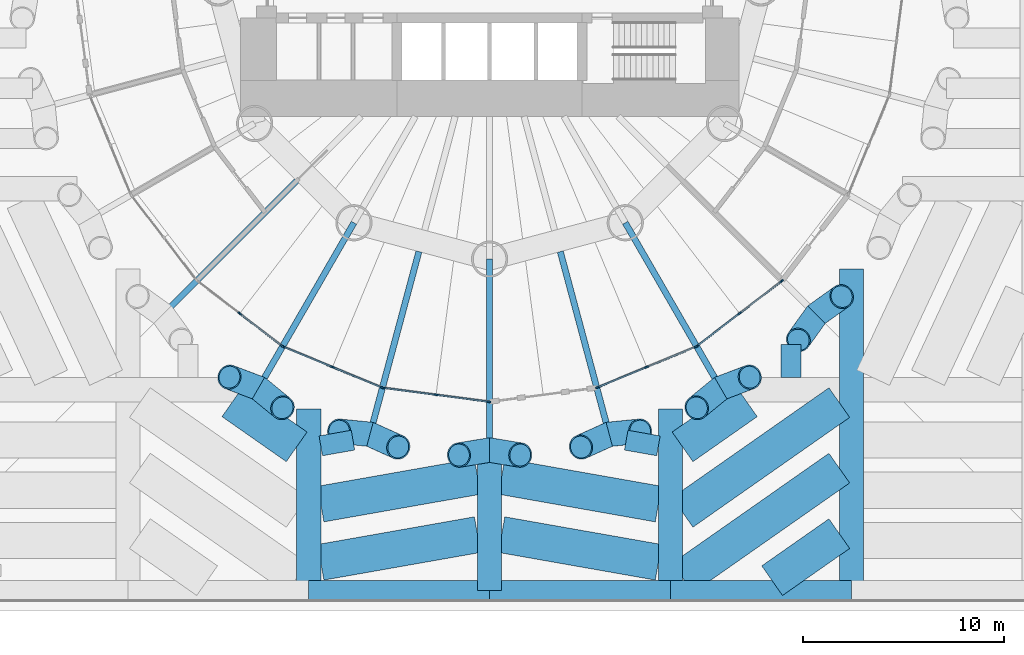
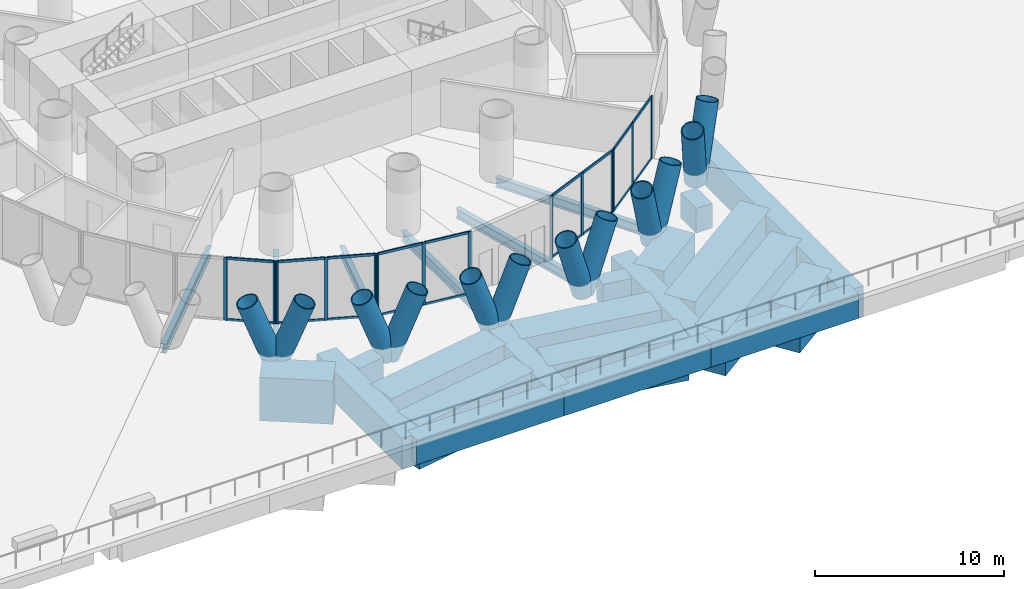
# One storey, part 3 of 19: 44 members, 25 beams, 5 elements without a shape of their own.
"""IFC4 building model written with IfcOpenShell, lengths in metres."""

from ifc_helpers import new_model, si_unit, direction, frame, origin, origin_2d, place, context, subcontext, project, spatial, rectangle, hollow_circle, i_section, extrude, material, material_profile, profile_set, type_object, element, aggregate, save


model = new_model("IFC4")

# Units and contexts
model_context = context("Model", 3, precision=1e-05, world=origin(), true_north=direction((0.0, 1.0)))
body_context = subcontext(model_context, "Body", "Model", "MODEL_VIEW")
ifc_project = project(units=[si_unit("LENGTHUNIT", "METRE"), si_unit("AREAUNIT", "SQUARE_METRE"), si_unit("VOLUMEUNIT", "CUBIC_METRE"), si_unit("PLANEANGLEUNIT", "RADIAN"), si_unit("MASSUNIT", "GRAM", prefix="KILO")], contexts=[model_context])

# Site, building, storey
site_placement = place(None, origin())
site = spatial("IfcSite", under=ifc_project, at=site_placement, CompositionType="ELEMENT")
building_placement = place(site_placement, origin())
building = spatial("IfcBuilding", under=site, at=building_placement, Name="Qaws Media Tower", CompositionType="ELEMENT")
storey_placement = place(building_placement, frame((0.0, 0.0, 26.0)))
storey = spatial("IfcBuildingStorey", under=building, at=storey_placement, Name="L04", CompositionType="ELEMENT", Elevation=26.0)

# Curtain wall, members
ifc_material_1 = material(Name="Aluminium and clear glass", Category="aluminium")
curtain_wall_type = type_object("IfcCurtainWallType", Name="Unitised curtain wall CW-A", PredefinedType="NOTDEFINED", material=ifc_material_1)
curtain_wall_1_placement = place(storey_placement, origin())
curtain_wall_1 = element("IfcCurtainWall", 1, at=curtain_wall_1_placement, inside=storey, type_object=curtain_wall_type, Name="CWA curtain wall L04-16", PredefinedType="NOTDEFINED")
ifc_material_2 = material(Name="Aluminium mullion", Category="aluminium")
ifc_material_profile_1 = material_profile(ifc_material_2, rectangle(XDim=0.080078125, YDim=0.199951171875, at=origin_2d()), Name="80x200")
ifc_profile_set_1 = profile_set([ifc_material_profile_1], Name="Aluminium mullion")
member_type_1 = type_object("IfcMemberType", Name="Curtain wall mullion 80x200", PredefinedType="MULLION", material=ifc_profile_set_1)
member_1_placement = place(storey_placement, frame((47.56689453125, 33.796630859375, 0.0), z_axis=(0.0, 0.0, 1.0), x_axis=(0.608761328178, 0.793353417662, 0.0)))
member_1 = element("IfcMember", 2, at=member_1_placement, type_object=member_type_1, Name="CWA mullion 2", PredefinedType="MULLION", context=body_context, shape_type="SweptSolid", body=[
    extrude(rectangle(XDim=0.080078125, YDim=0.199951171875, at=origin_2d()), origin(), (0.0, 0.0, 1.0), 4.0400390625),
])
member_2_placement = place(storey_placement, frame((49.668212890625, 32.184326171875, 0.0), z_axis=(0.0, 0.0, 1.0), x_axis=(0.608761328178, 0.793353417662, 0.0)))
member_2 = element("IfcMember", 3, at=member_2_placement, type_object=member_type_1, Name="CWA mullion 3", PredefinedType="MULLION", context=body_context, shape_type="SweptSolid", body=[
    extrude(rectangle(XDim=0.080078125, YDim=0.199951171875, at=origin_2d()), origin(), (0.0, 0.0, 1.0), 4.0400390625),
])

curtain_wall_2_placement = place(storey_placement, origin())
curtain_wall_2 = element("IfcCurtainWall", 4, at=curtain_wall_2_placement, inside=storey, type_object=curtain_wall_type, Name="CWA curtain wall L04-17", PredefinedType="NOTDEFINED")
member_3_placement = place(storey_placement, frame((49.737060546875, 32.14453125, 0.0), z_axis=(0.0, 0.0, 1.0), x_axis=(0.382683457778, 0.923879521985, 0.0)))
member_3 = element("IfcMember", 5, at=member_3_placement, type_object=member_type_1, Name="CWA mullion 1", PredefinedType="MULLION", context=body_context, shape_type="SweptSolid", body=[
    extrude(rectangle(XDim=0.080078125, YDim=0.199951171875, at=origin_2d()), origin(), (0.0, 0.0, 1.0), 4.0400390625),
])
member_4_placement = place(storey_placement, frame((52.18408203125, 31.130859375, 0.0), z_axis=(0.0, 0.0, 1.0), x_axis=(0.382683457778, 0.923879521985, 0.0)))
member_4 = element("IfcMember", 6, at=member_4_placement, type_object=member_type_1, Name="CWA mullion 2", PredefinedType="MULLION", context=body_context, shape_type="SweptSolid", body=[
    extrude(rectangle(XDim=0.080078125, YDim=0.199951171875, at=origin_2d()), origin(), (0.0, 0.0, 1.0), 4.0400390625),
])
member_5_placement = place(storey_placement, frame((54.63134765625, 30.1171875, 0.0), z_axis=(0.0, 0.0, 1.0), x_axis=(0.382683457778, 0.923879521985, 0.0)))
member_5 = element("IfcMember", 7, at=member_5_placement, type_object=member_type_1, Name="CWA mullion 3", PredefinedType="MULLION", context=body_context, shape_type="SweptSolid", body=[
    extrude(rectangle(XDim=0.080078125, YDim=0.199951171875, at=origin_2d()), origin(), (0.0, 0.0, 1.0), 4.0400390625),
])

curtain_wall_3_placement = place(storey_placement, origin())
curtain_wall_3 = element("IfcCurtainWall", 8, at=curtain_wall_3_placement, inside=storey, type_object=curtain_wall_type, Name="CWA curtain wall L04-18", PredefinedType="NOTDEFINED")
member_6_placement = place(storey_placement, frame((54.7080078125, 30.0966796875, 0.0), z_axis=(0.0, 0.0, 1.0), x_axis=(0.130526204073, 0.991444859813, 0.0)))
member_6 = element("IfcMember", 9, at=member_6_placement, type_object=member_type_1, Name="CWA mullion 1", PredefinedType="MULLION", context=body_context, shape_type="SweptSolid", body=[
    extrude(rectangle(XDim=0.080078125, YDim=0.199951171875, at=origin_2d()), origin(), (0.0, 0.0, 1.0), 4.0400390625),
])
member_7_placement = place(storey_placement, frame((57.334228515625, 29.7509765625, 0.0), z_axis=(0.0, 0.0, 1.0), x_axis=(0.130526204073, 0.991444859813, 0.0)))
member_7 = element("IfcMember", 10, at=member_7_placement, type_object=member_type_1, Name="CWA mullion 2", PredefinedType="MULLION", context=body_context, shape_type="SweptSolid", body=[
    extrude(rectangle(XDim=0.080078125, YDim=0.199951171875, at=origin_2d()), origin(), (0.0, 0.0, 1.0), 4.0400390625),
])
member_8_placement = place(storey_placement, frame((59.96044921875, 29.4052734375, 0.0), z_axis=(0.0, 0.0, 1.0), x_axis=(0.130526204073, 0.991444859813, 0.0)))
member_8 = element("IfcMember", 11, at=member_8_placement, type_object=member_type_1, Name="CWA mullion 3", PredefinedType="MULLION", context=body_context, shape_type="SweptSolid", body=[
    extrude(rectangle(XDim=0.080078125, YDim=0.199951171875, at=origin_2d()), origin(), (0.0, 0.0, 1.0), 4.0400390625),
])

curtain_wall_4_placement = place(storey_placement, origin())
curtain_wall_4 = element("IfcCurtainWall", 12, at=curtain_wall_4_placement, inside=storey, type_object=curtain_wall_type, Name="CWA curtain wall L04-20", PredefinedType="NOTDEFINED")
member_9_placement = place(storey_placement, frame((65.36865234375, 30.1171875, 0.0), z_axis=(0.0, 0.0, 1.0), x_axis=(-0.382683457778, 0.923879521985, 0.0)))
member_9 = element("IfcMember", 13, at=member_9_placement, type_object=member_type_1, Name="CWA mullion 1", PredefinedType="MULLION", context=body_context, shape_type="SweptSolid", body=[
    extrude(rectangle(XDim=0.080078125, YDim=0.199951171875, at=origin_2d()), origin(), (0.0, 0.0, 1.0), 4.0400390625),
])
member_10_placement = place(storey_placement, frame((67.81591796875, 31.130859375, 0.0), z_axis=(0.0, 0.0, 1.0), x_axis=(-0.382683457778, 0.923879521985, 0.0)))
member_10 = element("IfcMember", 14, at=member_10_placement, type_object=member_type_1, Name="CWA mullion 2", PredefinedType="MULLION", context=body_context, shape_type="SweptSolid", body=[
    extrude(rectangle(XDim=0.080078125, YDim=0.199951171875, at=origin_2d()), origin(), (0.0, 0.0, 1.0), 4.0400390625),
])
member_11_placement = place(storey_placement, frame((70.262939453125, 32.14453125, 0.0), z_axis=(0.0, 0.0, 1.0), x_axis=(-0.382683457778, 0.923879521985, 0.0)))
member_11 = element("IfcMember", 15, at=member_11_placement, type_object=member_type_1, Name="CWA mullion 3", PredefinedType="MULLION", context=body_context, shape_type="SweptSolid", body=[
    extrude(rectangle(XDim=0.080078125, YDim=0.199951171875, at=origin_2d()), origin(), (0.0, 0.0, 1.0), 4.0400390625),
])

curtain_wall_5_placement = place(storey_placement, origin())
curtain_wall_5 = element("IfcCurtainWall", 16, at=curtain_wall_5_placement, inside=storey, type_object=curtain_wall_type, Name="CWA curtain wall L04-21", PredefinedType="NOTDEFINED")
member_12_placement = place(storey_placement, frame((70.331787109375, 32.184326171875, 0.0), z_axis=(0.0, 0.0, 1.0), x_axis=(-0.608761328178, 0.793353417662, 0.0)))
member_12 = element("IfcMember", 17, at=member_12_placement, type_object=member_type_1, Name="CWA mullion 1", PredefinedType="MULLION", context=body_context, shape_type="SweptSolid", body=[
    extrude(rectangle(XDim=0.080078125, YDim=0.199951171875, at=origin_2d()), origin(), (0.0, 0.0, 1.0), 4.0400390625),
])
member_13_placement = place(storey_placement, frame((72.43310546875, 33.796630859375, 0.0), z_axis=(0.0, 0.0, 1.0), x_axis=(-0.608761328178, 0.793353417662, 0.0)))
member_13 = element("IfcMember", 18, at=member_13_placement, type_object=member_type_1, Name="CWA mullion 2", PredefinedType="MULLION", context=body_context, shape_type="SweptSolid", body=[
    extrude(rectangle(XDim=0.080078125, YDim=0.199951171875, at=origin_2d()), origin(), (0.0, 0.0, 1.0), 4.0400390625),
])
member_14_placement = place(storey_placement, frame((74.53466796875, 35.4091796875, 0.0), z_axis=(0.0, 0.0, 1.0), x_axis=(-0.608761328178, 0.793353417662, 0.0)))
member_14 = element("IfcMember", 19, at=member_14_placement, type_object=member_type_1, Name="CWA mullion 3", PredefinedType="MULLION", context=body_context, shape_type="SweptSolid", body=[
    extrude(rectangle(XDim=0.080078125, YDim=0.199951171875, at=origin_2d()), origin(), (0.0, 0.0, 1.0), 4.0400390625),
])

# Member
ifc_material_3 = material(Name="Aluminium transom", Category="aluminium")
ifc_material_profile_2 = material_profile(ifc_material_3, rectangle(XDim=0.080078125, YDim=0.159912109375, at=origin_2d()), Name="80x160")
ifc_profile_set_2 = profile_set([ifc_material_profile_2], Name="Aluminium transom")
member_type_2 = type_object("IfcMemberType", Name="Curtain wall transom 80x160", PredefinedType="USERDEFINED", material=ifc_profile_set_2)
member_15_placement = place(storey_placement, frame((47.5986328125, 33.7724609375, 0.0400390625), z_axis=(0.793301853491, -0.608828522039, 0.0), x_axis=(0.608828522039, 0.793301853491, 0.0)))
member_15 = element("IfcMember", 20, at=member_15_placement, type_object=member_type_2, Name="CWA transom 2.1", ObjectType="TRANSOM", PredefinedType="USERDEFINED", context=body_context, shape_type="SweptSolid", body=[
    extrude(rectangle(XDim=0.080078125, YDim=0.159912109375, at=origin_2d()), origin(), (0.0, 0.0, 1.0), 2.56884765625),
])

member_16_placement = place(storey_placement, frame((47.5986328125, 33.7724609375, 4.0), z_axis=(0.793301853491, -0.608828522039, 0.0), x_axis=(0.608828522039, 0.793301853491, 0.0)))
member_16 = element("IfcMember", 21, at=member_16_placement, type_object=member_type_2, Name="CWA transom 2.2", ObjectType="TRANSOM", PredefinedType="USERDEFINED", context=body_context, shape_type="SweptSolid", body=[
    extrude(rectangle(XDim=0.080078125, YDim=0.159912109375, at=origin_2d()), origin(), (0.0, 0.0, 1.0), 2.56884765625),
])

aggregate(curtain_wall_1, [member_1, member_2, member_15, member_16])

member_17_placement = place(storey_placement, frame((49.77392578125, 32.129150390625, 0.0400390625), z_axis=(0.923898685977, -0.382637188535, 0.0), x_axis=(0.382637188535, 0.923898685977, 0.0)))
member_17 = element("IfcMember", 22, at=member_17_placement, type_object=member_type_2, Name="CWA transom 1.1", ObjectType="TRANSOM", PredefinedType="USERDEFINED", context=body_context, shape_type="SweptSolid", body=[
    extrude(rectangle(XDim=0.080078125, YDim=0.159912109375, at=origin_2d()), origin(), (0.0, 0.0, 1.0), 2.56884765625),
])

member_18_placement = place(storey_placement, frame((49.77392578125, 32.129150390625, 4.0), z_axis=(0.923898685977, -0.382637188535, 0.0), x_axis=(0.382637188535, 0.923898685977, 0.0)))
member_18 = element("IfcMember", 23, at=member_18_placement, type_object=member_type_2, Name="CWA transom 1.2", ObjectType="TRANSOM", PredefinedType="USERDEFINED", context=body_context, shape_type="SweptSolid", body=[
    extrude(rectangle(XDim=0.080078125, YDim=0.159912109375, at=origin_2d()), origin(), (0.0, 0.0, 1.0), 2.56884765625),
])

member_19_placement = place(storey_placement, frame((52.22119140625, 31.115478515625, 0.0400390625), z_axis=(0.923898685977, -0.382637188535, 0.0), x_axis=(0.382637188535, 0.923898685977, 0.0)))
member_19 = element("IfcMember", 24, at=member_19_placement, type_object=member_type_2, Name="CWA transom 2.1", ObjectType="TRANSOM", PredefinedType="USERDEFINED", context=body_context, shape_type="SweptSolid", body=[
    extrude(rectangle(XDim=0.080078125, YDim=0.159912109375, at=origin_2d()), origin(), (0.0, 0.0, 1.0), 2.56884765625),
])

member_20_placement = place(storey_placement, frame((52.22119140625, 31.115478515625, 4.0), z_axis=(0.923898685977, -0.382637188535, 0.0), x_axis=(0.382637188535, 0.923898685977, 0.0)))
member_20 = element("IfcMember", 25, at=member_20_placement, type_object=member_type_2, Name="CWA transom 2.2", ObjectType="TRANSOM", PredefinedType="USERDEFINED", context=body_context, shape_type="SweptSolid", body=[
    extrude(rectangle(XDim=0.080078125, YDim=0.159912109375, at=origin_2d()), origin(), (0.0, 0.0, 1.0), 2.56884765625),
])

aggregate(curtain_wall_2, [member_3, member_4, member_5, member_17, member_18, member_19, member_20])

member_21_placement = place(storey_placement, frame((54.74755859375, 30.091552734375, 0.0400390625), z_axis=(0.991437466398, -0.130582350348, 0.0), x_axis=(0.130582350348, 0.991437466398, 0.0)))
member_21 = element("IfcMember", 26, at=member_21_placement, type_object=member_type_2, Name="CWA transom 1.1", ObjectType="TRANSOM", PredefinedType="USERDEFINED", context=body_context, shape_type="SweptSolid", body=[
    extrude(rectangle(XDim=0.080078125, YDim=0.159912109375, at=origin_2d()), origin(), (0.0, 0.0, 1.0), 2.56884765625),
])

member_22_placement = place(storey_placement, frame((54.74755859375, 30.091552734375, 4.0), z_axis=(0.991437466398, -0.130582350348, 0.0), x_axis=(0.130582350348, 0.991437466398, 0.0)))
member_22 = element("IfcMember", 27, at=member_22_placement, type_object=member_type_2, Name="CWA transom 1.2", ObjectType="TRANSOM", PredefinedType="USERDEFINED", context=body_context, shape_type="SweptSolid", body=[
    extrude(rectangle(XDim=0.080078125, YDim=0.159912109375, at=origin_2d()), origin(), (0.0, 0.0, 1.0), 2.56884765625),
])

member_23_placement = place(storey_placement, frame((57.373779296875, 29.745849609375, 0.0400390625), z_axis=(0.991437466398, -0.130582350348, 0.0), x_axis=(0.130582350348, 0.991437466398, 0.0)))
member_23 = element("IfcMember", 28, at=member_23_placement, type_object=member_type_2, Name="CWA transom 2.1", ObjectType="TRANSOM", PredefinedType="USERDEFINED", context=body_context, shape_type="SweptSolid", body=[
    extrude(rectangle(XDim=0.080078125, YDim=0.159912109375, at=origin_2d()), origin(), (0.0, 0.0, 1.0), 2.56884765625),
])

member_24_placement = place(storey_placement, frame((57.373779296875, 29.745849609375, 4.0), z_axis=(0.991437466398, -0.130582350348, 0.0), x_axis=(0.130582350348, 0.991437466398, 0.0)))
member_24 = element("IfcMember", 29, at=member_24_placement, type_object=member_type_2, Name="CWA transom 2.2", ObjectType="TRANSOM", PredefinedType="USERDEFINED", context=body_context, shape_type="SweptSolid", body=[
    extrude(rectangle(XDim=0.080078125, YDim=0.159912109375, at=origin_2d()), origin(), (0.0, 0.0, 1.0), 2.56884765625),
])

aggregate(curtain_wall_3, [member_6, member_7, member_8, member_21, member_22, member_23, member_24])

member_25_placement = place(storey_placement, frame((65.405517578125, 30.132568359375, 0.0400390625), z_axis=(0.923898685977, 0.382637188535, 0.0), x_axis=(-0.382637188535, 0.923898685977, 0.0)))
member_25 = element("IfcMember", 30, at=member_25_placement, type_object=member_type_2, Name="CWA transom 1.1", ObjectType="TRANSOM", PredefinedType="USERDEFINED", context=body_context, shape_type="SweptSolid", body=[
    extrude(rectangle(XDim=0.080078125, YDim=0.159912109375, at=origin_2d()), origin(), (0.0, 0.0, 1.0), 2.56884765625),
])

member_26_placement = place(storey_placement, frame((65.405517578125, 30.132568359375, 4.0), z_axis=(0.923898685977, 0.382637188535, 0.0), x_axis=(-0.382637188535, 0.923898685977, 0.0)))
member_26 = element("IfcMember", 31, at=member_26_placement, type_object=member_type_2, Name="CWA transom 1.2", ObjectType="TRANSOM", PredefinedType="USERDEFINED", context=body_context, shape_type="SweptSolid", body=[
    extrude(rectangle(XDim=0.080078125, YDim=0.159912109375, at=origin_2d()), origin(), (0.0, 0.0, 1.0), 2.56884765625),
])

member_27_placement = place(storey_placement, frame((67.852783203125, 31.146240234375, 0.0400390625), z_axis=(0.923898685977, 0.382637188535, 0.0), x_axis=(-0.382637188535, 0.923898685977, 0.0)))
member_27 = element("IfcMember", 32, at=member_27_placement, type_object=member_type_2, Name="CWA transom 2.1", ObjectType="TRANSOM", PredefinedType="USERDEFINED", context=body_context, shape_type="SweptSolid", body=[
    extrude(rectangle(XDim=0.080078125, YDim=0.159912109375, at=origin_2d()), origin(), (0.0, 0.0, 1.0), 2.56884765625),
])

member_28_placement = place(storey_placement, frame((67.852783203125, 31.146240234375, 4.0), z_axis=(0.923898685977, 0.382637188535, 0.0), x_axis=(-0.382637188535, 0.923898685977, 0.0)))
member_28 = element("IfcMember", 33, at=member_28_placement, type_object=member_type_2, Name="CWA transom 2.2", ObjectType="TRANSOM", PredefinedType="USERDEFINED", context=body_context, shape_type="SweptSolid", body=[
    extrude(rectangle(XDim=0.080078125, YDim=0.159912109375, at=origin_2d()), origin(), (0.0, 0.0, 1.0), 2.56884765625),
])

aggregate(curtain_wall_4, [member_9, member_10, member_11, member_25, member_26, member_27, member_28])

member_29_placement = place(storey_placement, frame((70.363525390625, 32.20849609375, 0.0400390625), z_axis=(0.793301853491, 0.608828522039, 0.0), x_axis=(-0.608828522039, 0.793301853491, 0.0)))
member_29 = element("IfcMember", 34, at=member_29_placement, type_object=member_type_2, Name="CWA transom 1.1", ObjectType="TRANSOM", PredefinedType="USERDEFINED", context=body_context, shape_type="SweptSolid", body=[
    extrude(rectangle(XDim=0.080078125, YDim=0.159912109375, at=origin_2d()), origin(), (0.0, 0.0, 1.0), 2.56884765625),
])

member_30_placement = place(storey_placement, frame((70.363525390625, 32.20849609375, 4.0), z_axis=(0.793301853491, 0.608828522039, 0.0), x_axis=(-0.608828522039, 0.793301853491, 0.0)))
member_30 = element("IfcMember", 35, at=member_30_placement, type_object=member_type_2, Name="CWA transom 1.2", ObjectType="TRANSOM", PredefinedType="USERDEFINED", context=body_context, shape_type="SweptSolid", body=[
    extrude(rectangle(XDim=0.080078125, YDim=0.159912109375, at=origin_2d()), origin(), (0.0, 0.0, 1.0), 2.56884765625),
])

member_31_placement = place(storey_placement, frame((72.46484375, 33.821044921875, 0.0400390625), z_axis=(0.793337078322, 0.608782621434, 0.0), x_axis=(-0.608782621434, 0.793337078322, 0.0)))
member_31 = element("IfcMember", 36, at=member_31_placement, type_object=member_type_2, Name="CWA transom 2.1", ObjectType="TRANSOM", PredefinedType="USERDEFINED", context=body_context, shape_type="SweptSolid", body=[
    extrude(rectangle(XDim=0.080078125, YDim=0.159912109375, at=origin_2d()), origin(), (0.0, 0.0, 1.0), 2.569091796875),
])

member_32_placement = place(storey_placement, frame((72.46484375, 33.821044921875, 4.0), z_axis=(0.793337078322, 0.608782621434, 0.0), x_axis=(-0.608782621434, 0.793337078322, 0.0)))
member_32 = element("IfcMember", 37, at=member_32_placement, type_object=member_type_2, Name="CWA transom 2.2", ObjectType="TRANSOM", PredefinedType="USERDEFINED", context=body_context, shape_type="SweptSolid", body=[
    extrude(rectangle(XDim=0.080078125, YDim=0.159912109375, at=origin_2d()), origin(), (0.0, 0.0, 1.0), 2.569091796875),
])

aggregate(curtain_wall_5, [member_12, member_13, member_14, member_29, member_30, member_31, member_32])

# Members
ifc_material_4 = material(Name="Steel S460", Category="steel")
ifc_material_profile_3 = material_profile(ifc_material_4, hollow_circle(Radius=0.609619140625, WallThickness=0.06005859375, at=origin_2d()), Name="CHS 1219x60")
ifc_profile_set_3 = profile_set([ifc_material_profile_3], Name="Steel S460")
member_type_3 = type_object("IfcMemberType", Name="Diagrid member CHS 1219x60", PredefinedType="USERDEFINED", material=ifc_profile_set_3)
for number, where, z_axis, x_axis, name in (
    (38, (48.5, 30.081298828125, -0.909912109375), (0.266955405454, -0.218671012683, 0.93857221337), (0.633676776351, 0.77359792083, 0.0), "DG1 diagrid L04 A17"),
    (39, (48.5, 30.081298828125, -0.909912109375), (-0.322874178804, 0.121882547389, 0.938561084482), (-0.353166911029, -0.935560331007, 0.0), "DG1 diagrid L04 B17"),
    (40, (54.047119140625, 27.78369140625, -0.909912109375), (0.314474007821, -0.142124356415, 0.938566335279), (0.411836624979, 0.911257699186, 0.0), "DG1 diagrid L04 A18"),
    (41, (54.047119140625, 27.78369140625, -0.909912109375), (-0.343391645998, 0.034153665458, 0.938571097251), (-0.098971482221, -0.99509027013, 0.0), "DG1 diagrid L04 B18"),
    (42, (60.0, 27.0, -0.909912109375), (0.340552153241, -0.055867575283, 0.938564353124), (0.161886075134, 0.986809454088, 0.0), "DG1 diagrid L04 A19"),
    (43, (60.0, 27.0, -0.909912109375), (-0.340552153241, -0.055867575283, 0.938564353124), (0.161886075134, -0.986809454088, 0.0), "DG1 diagrid L04 B19"),
    (44, (65.952880859375, 27.78369140625, -0.909912109375), (0.343391645998, 0.034153665458, 0.938571097251), (-0.098971482221, 0.99509027013, 0.0), "DG1 diagrid L04 A20"),
    (45, (65.952880859375, 27.78369140625, -0.909912109375), (-0.314474007821, -0.142124356415, 0.938566335279), (0.411836624979, -0.911257699186, 0.0), "DG1 diagrid L04 B20"),
    (46, (71.5, 30.081298828125, -0.909912109375), (0.322874178804, 0.121882547389, 0.938561084482), (-0.353166911029, 0.935560331007, 0.0), "DG1 diagrid L04 A21"),
    (47, (71.5, 30.081298828125, -0.909912109375), (-0.266955405454, -0.218671012683, 0.93857221337), (0.633676776351, -0.77359792083, 0.0), "DG1 diagrid L04 B21"),
    (48, (76.263427734375, 33.736572265625, -0.909912109375), (0.280321331697, 0.201266133248, 0.938569067572), (-0.583225507839, 0.812310289856, 0.0), "DG1 diagrid L04 A22"),
    (49, (76.263427734375, 33.736572265625, -0.909912109375), (-0.201266133248, -0.280321331697, 0.938569067572), (0.812310289856, -0.583225507839, 0.0), "DG1 diagrid L04 B22"),
):
    element("IfcMember", number, at=place(storey_placement, frame(where, z_axis=z_axis, x_axis=x_axis)), inside=storey, type_object=member_type_3, Name=name, ObjectType="DIAGRID", PredefinedType="USERDEFINED", context=body_context, shape_type="SweptSolid", body=[
        extrude(hollow_circle(Radius=0.609619140625, WallThickness=0.06005859375, at=origin_2d()), origin(), (0.0, 0.0, 1.0), 4.474853515625),
    ])

# Beams
ifc_material_5 = material(Name="Concrete C60/75", Category="concrete")
ifc_material_profile_4 = material_profile(ifc_material_5, rectangle(XDim=1.199951171875, YDim=2.0, at=origin_2d()), Name="RC 1200x2000")
ifc_profile_set_4 = profile_set([ifc_material_profile_4], Name="Concrete C60/75")
beam_type_1 = type_object("IfcBeamType", Name="Podium long trimmer beam RC 1200x2000", PredefinedType="BEAM", material=ifc_profile_set_4)
beam_1_placement = place(storey_placement, frame((51.0, 20.0, -1.300048828125), z_axis=(0.0, 1.0, 0.0), x_axis=(-1.0, 0.0, 0.0)))
element("IfcBeam", 50, at=beam_1_placement, inside=storey, type_object=beam_type_1, Name="PB11 beam 5/A to the tower ring", PredefinedType="BEAM", context=body_context, shape_type="SweptSolid", body=[
    extrude(rectangle(XDim=1.199951171875, YDim=2.0, at=origin_2d()), origin(), (0.0, 0.0, 1.0), 9.0458984375),
])
beam_2_placement = place(storey_placement, frame((60.0, 20.0, -1.300048828125), z_axis=(0.0, 1.0, 0.0), x_axis=(-1.0, 0.0, 0.0)))
element("IfcBeam", 51, at=beam_2_placement, inside=storey, type_object=beam_type_1, Name="PB11 beam 6/A to the tower ring", PredefinedType="BEAM", context=body_context, shape_type="SweptSolid", body=[
    extrude(rectangle(XDim=1.199951171875, YDim=2.0, at=origin_2d()), origin(), (0.0, 0.0, 1.0), 7.0),
])
beam_3_placement = place(storey_placement, frame((69.0, 20.0, -1.300048828125), z_axis=(0.0, 1.0, 0.0), x_axis=(-1.0, 0.0, 0.0)))
element("IfcBeam", 52, at=beam_3_placement, inside=storey, type_object=beam_type_1, Name="PB11 beam 7/A to the tower ring", PredefinedType="BEAM", context=body_context, shape_type="SweptSolid", body=[
    extrude(rectangle(XDim=1.199951171875, YDim=2.0, at=origin_2d()), origin(), (0.0, 0.0, 1.0), 9.0458984375),
])
beam_4_placement = place(storey_placement, frame((78.0, 20.0, -1.300048828125), z_axis=(0.0, 1.0, 0.0), x_axis=(-1.0, 0.0, 0.0)))
element("IfcBeam", 53, at=beam_4_placement, inside=storey, type_object=beam_type_1, Name="PB11 beam 8/A to the tower ring", PredefinedType="BEAM", context=body_context, shape_type="SweptSolid", body=[
    extrude(rectangle(XDim=1.199951171875, YDim=2.0, at=origin_2d()), origin(), (0.0, 0.0, 1.0), 15.999755859375),
])
ifc_material_6 = material(Name="Concrete C60/75", Category="concrete")
ifc_material_profile_5 = material_profile(ifc_material_6, rectangle(XDim=1.0, YDim=1.60009765625, at=origin_2d()), Name="RC 1000x1600")
ifc_profile_set_5 = profile_set([ifc_material_profile_5], Name="Concrete C60/75")
beam_type_2 = type_object("IfcBeamType", Name="Podium roof girder RC 1000x1600", PredefinedType="BEAM", material=ifc_profile_set_5)
for number, where, z_axis, x_axis, name in (
    (54, (51.0, 20.0, -1.10009765625), (1.0, 0.0, 0.0), (0.0, 1.0, 0.0), "PB10 beam 5-6/A"),
    (55, (60.0, 20.0, -1.10009765625), (1.0, 0.0, 0.0), (0.0, 1.0, 0.0), "PB10 beam 6-7/A"),
    (56, (69.0, 20.0, -1.10009765625), (1.0, 0.0, 0.0), (0.0, 1.0, 0.0), "PB10 beam 7-8/A"),
):
    element("IfcBeam", number, at=place(storey_placement, frame(where, z_axis=z_axis, x_axis=x_axis)), inside=storey, type_object=beam_type_2, Name=name, PredefinedType="BEAM", context=body_context, shape_type="SweptSolid", body=[
        extrude(rectangle(XDim=1.0, YDim=1.60009765625, at=origin_2d()), origin(), (0.0, 0.0, 1.0), 9.0),
    ])
ifc_material_7 = material(Name="Concrete C60/75", Category="concrete")
ifc_material_profile_6 = material_profile(ifc_material_7, rectangle(XDim=1.0, YDim=1.60009765625, at=origin_2d()), Name="RC 1000x1600")
ifc_profile_set_6 = profile_set([ifc_material_profile_6], Name="Concrete C60/75")
beam_type_3 = type_object("IfcBeamType", Name="Podium roof ring secondary beam RC 1000x1600", PredefinedType="BEAM", material=ifc_profile_set_6)
for number, where, z_axis, x_axis, name in (
    (57, (51.60009765625, 27.208984375, -1.10009765625), (0.984804706525, 0.173665454268, 0.0), (-0.173665454268, 0.984804706525, 0.0), "PB13 beam bay 5A line 3"),
    (58, (68.39990234375, 27.208984375, -1.10009765625), (-0.984804706525, 0.173665454268, 0.0), (-0.173665454268, -0.984804706525, 0.0), "PB13 beam bay 6A line 1"),
):
    element("IfcBeam", number, at=place(storey_placement, frame(where, z_axis=z_axis, x_axis=x_axis)), inside=storey, type_object=beam_type_3, Name=name, PredefinedType="BEAM", context=body_context, shape_type="SweptSolid", body=[
        extrude(rectangle(XDim=1.0, YDim=1.60009765625, at=origin_2d()), origin(), (0.0, 0.0, 1.0), 1.62646484375),
    ])
beam_5_placement = place(storey_placement, frame((75.0, 30.60009765625, -1.10009765625), z_axis=(0.0, 1.0, 0.0), x_axis=(-1.0, 0.0, 0.0)))
element("IfcBeam", 59, at=beam_5_placement, inside=storey, type_object=beam_type_3, Name="PB13 beam bay 7B line 1", PredefinedType="BEAM", context=body_context, shape_type="SweptSolid", body=[
    extrude(rectangle(XDim=1.0, YDim=1.60009765625, at=origin_2d()), origin(), (0.0, 0.0, 1.0), 1.662841796875),
])
ifc_material_8 = material(Name="Concrete C60/75", Category="concrete")
ifc_material_profile_7 = material_profile(ifc_material_8, rectangle(XDim=1.800048828125, YDim=2.800048828125, at=origin_2d()), Name="RC 1800x2800")
ifc_profile_set_7 = profile_set([ifc_material_profile_7], Name="Concrete C60/75")
beam_type_4 = type_object("IfcBeamType", Name="Podium roof secondary beam RC 1800x2800", PredefinedType="BEAM", material=ifc_profile_set_7)
beam_6_placement = place(storey_placement, frame((50.39990234375, 27.15966796875, -1.699951171875), z_axis=(-0.819137933963, 0.573596587458, 0.0), x_axis=(-0.573596587458, -0.819137933963, 0.0)))
element("IfcBeam", 60, at=beam_6_placement, inside=storey, type_object=beam_type_4, Name="PB8 beam bay 4A line 1", PredefinedType="BEAM", context=body_context, shape_type="SweptSolid", body=[
    extrude(rectangle(XDim=1.800048828125, YDim=2.800048828125, at=origin_2d()), origin(), (0.0, 0.0, 1.0), 3.905517578125),
])
for number, where, z_axis, x_axis, name in (
    (61, (51.60009765625, 21.41552734375, -1.699951171875), (0.984804033163, 0.173669272657, 0.0), (-0.173669272657, 0.984804033163, 0.0), "PB8 beam bay 5A line 1"),
    (62, (51.60009765625, 24.312255859375, -1.699951171875), (0.984804033163, 0.173669272657, 0.0), (-0.173669272657, 0.984804033163, 0.0), "PB8 beam bay 5A line 2"),
    (63, (68.39990234375, 24.312255859375, -1.699951171875), (-0.984804033163, 0.173669272657, 0.0), (-0.173669272657, -0.984804033163, 0.0), "PB8 beam bay 6A line 2"),
    (64, (68.39990234375, 21.41552734375, -1.699951171875), (-0.984804033163, 0.173669272657, 0.0), (-0.173669272657, -0.984804033163, 0.0), "PB8 beam bay 6A line 3"),
):
    element("IfcBeam", number, at=place(storey_placement, frame(where, z_axis=z_axis, x_axis=x_axis)), inside=storey, type_object=beam_type_4, Name=name, PredefinedType="BEAM", context=body_context, shape_type="SweptSolid", body=[
        extrude(rectangle(XDim=1.800048828125, YDim=2.800048828125, at=origin_2d()), origin(), (0.0, 0.0, 1.0), 7.920166015625),
    ])
beam_7_placement = place(storey_placement, frame((74.057861328125, 20.5, -1.699951171875), z_axis=(0.819127892639, 0.573610926937, 0.0), x_axis=(-0.573610926937, 0.819127892639, 0.0)))
element("IfcBeam", 65, at=beam_7_placement, inside=storey, type_object=beam_type_4, Name="PB8 beam bay 7A line 1", PredefinedType="BEAM", context=body_context, shape_type="SweptSolid", body=[
    extrude(rectangle(XDim=1.800048828125, YDim=2.800048828125, at=origin_2d()), origin(), (0.0, 0.0, 1.0), 4.080078125),
])
for number, where, z_axis, x_axis, name in (
    (66, (69.60009765625, 20.638916015625, -1.699951171875), (0.819142773334, 0.57358967642, 0.0), (-0.57358967642, 0.819142773334, 0.0), "PB8 beam bay 7A line 2"),
    (67, (69.60009765625, 23.8994140625, -1.699951171875), (0.819142773334, 0.57358967642, 0.0), (-0.57358967642, 0.819142773334, 0.0), "PB8 beam bay 7A line 3"),
):
    element("IfcBeam", number, at=place(storey_placement, frame(where, z_axis=z_axis, x_axis=x_axis)), inside=storey, type_object=beam_type_4, Name=name, PredefinedType="BEAM", context=body_context, shape_type="SweptSolid", body=[
        extrude(rectangle(XDim=1.800048828125, YDim=2.800048828125, at=origin_2d()), origin(), (0.0, 0.0, 1.0), 9.52197265625),
    ])
beam_8_placement = place(storey_placement, frame((69.60009765625, 27.15966796875, -1.699951171875), z_axis=(0.819137933963, 0.573596587458, 0.0), x_axis=(-0.573596587458, 0.819137933963, 0.0)))
element("IfcBeam", 68, at=beam_8_placement, inside=storey, type_object=beam_type_4, Name="PB8 beam bay 7A line 4", PredefinedType="BEAM", context=body_context, shape_type="SweptSolid", body=[
    extrude(rectangle(XDim=1.800048828125, YDim=2.800048828125, at=origin_2d()), origin(), (0.0, 0.0, 1.0), 3.905517578125),
])
ifc_material_9 = material(Name="Steel S355", Category="steel")
ifc_material_profile_8 = material_profile(ifc_material_9, i_section(OverallWidth=0.304931640625, OverallDepth=0.6201171875, WebThickness=0.02099609375, FlangeThickness=0.0400390625, FilletRadius=0.027099609375, at=origin_2d()), Name="HE 600 M")
ifc_profile_set_8 = profile_set([ifc_material_profile_8], Name="Steel S355")
beam_type_5 = type_object("IfcBeamType", Name="Radial beam HE 600 M", PredefinedType="BEAM", material=ifc_profile_set_8)
beam_9_placement = place(storey_placement, frame((50.390380859375, 40.390380859375, -0.469970703125), z_axis=(-0.707106781187, -0.707106781187, 0.0), x_axis=(0.707106781187, -0.707106781187, 0.0)))
element("IfcBeam", 69, at=beam_9_placement, inside=storey, type_object=beam_type_5, Name="B1 radial beam L04 16", PredefinedType="BEAM", context=body_context, shape_type="SweptSolid", body=[
    extrude(i_section(OverallWidth=0.304931640625, OverallDepth=0.6201171875, WebThickness=0.02099609375, FlangeThickness=0.0400390625, FilletRadius=0.027099609375, at=origin_2d()), origin(), (0.0, 0.0, 1.0), 9.409912109375),
])
beam_10_placement = place(storey_placement, frame((53.25, 38.30859375, -0.469970703125), z_axis=(-0.499997557548, -0.86602681393, 0.0), x_axis=(0.86602681393, -0.499997557548, 0.0)))
element("IfcBeam", 70, at=beam_10_placement, inside=storey, type_object=beam_type_5, Name="B1 radial beam L04 17", PredefinedType="BEAM", context=body_context, shape_type="SweptSolid", body=[
    extrude(i_section(OverallWidth=0.304931640625, OverallDepth=0.6201171875, WebThickness=0.02099609375, FlangeThickness=0.0400390625, FilletRadius=0.027099609375, at=origin_2d()), origin(), (0.0, 0.0, 1.0), 9.5),
])
beam_11_placement = place(storey_placement, frame((56.482666015625, 36.873046875, -0.469970703125), z_axis=(-0.258825134703, -0.965924194565, 0.0), x_axis=(0.965924194565, -0.258825134703, 0.0)))
element("IfcBeam", 71, at=beam_11_placement, inside=storey, type_object=beam_type_5, Name="B1 radial beam L04 18", PredefinedType="BEAM", context=body_context, shape_type="SweptSolid", body=[
    extrude(i_section(OverallWidth=0.304931640625, OverallDepth=0.6201171875, WebThickness=0.02099609375, FlangeThickness=0.0400390625, FilletRadius=0.027099609375, at=origin_2d()), origin(), (0.0, 0.0, 1.0), 9.409912109375),
])
beam_12_placement = place(storey_placement, frame((60.0, 36.5, -0.469970703125), z_axis=(0.0, -1.0, 0.0), x_axis=(1.0, 0.0, 0.0)))
element("IfcBeam", 72, at=beam_12_placement, inside=storey, type_object=beam_type_5, Name="B1 radial beam L04 19", PredefinedType="BEAM", context=body_context, shape_type="SweptSolid", body=[
    extrude(i_section(OverallWidth=0.304931640625, OverallDepth=0.6201171875, WebThickness=0.02099609375, FlangeThickness=0.0400390625, FilletRadius=0.027099609375, at=origin_2d()), origin(), (0.0, 0.0, 1.0), 9.5),
])
beam_13_placement = place(storey_placement, frame((63.517333984375, 36.873046875, -0.469970703125), z_axis=(0.258825134703, -0.965924194565, 0.0), x_axis=(0.965924194565, 0.258825134703, 0.0)))
element("IfcBeam", 73, at=beam_13_placement, inside=storey, type_object=beam_type_5, Name="B1 radial beam L04 20", PredefinedType="BEAM", context=body_context, shape_type="SweptSolid", body=[
    extrude(i_section(OverallWidth=0.304931640625, OverallDepth=0.6201171875, WebThickness=0.02099609375, FlangeThickness=0.0400390625, FilletRadius=0.027099609375, at=origin_2d()), origin(), (0.0, 0.0, 1.0), 9.409912109375),
])
beam_14_placement = place(storey_placement, frame((66.75, 38.30859375, -0.469970703125), z_axis=(0.499997557548, -0.86602681393, 0.0), x_axis=(0.86602681393, 0.499997557548, 0.0)))
element("IfcBeam", 74, at=beam_14_placement, inside=storey, type_object=beam_type_5, Name="B1 radial beam L04 21", PredefinedType="BEAM", context=body_context, shape_type="SweptSolid", body=[
    extrude(i_section(OverallWidth=0.304931640625, OverallDepth=0.6201171875, WebThickness=0.02099609375, FlangeThickness=0.0400390625, FilletRadius=0.027099609375, at=origin_2d()), origin(), (0.0, 0.0, 1.0), 9.5),
])

save(model, "model.ifc")
